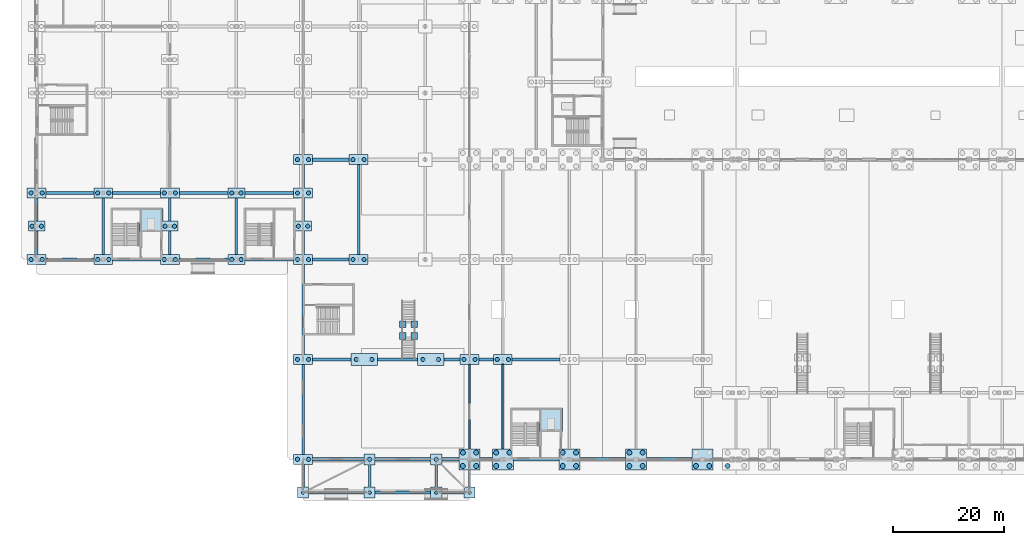
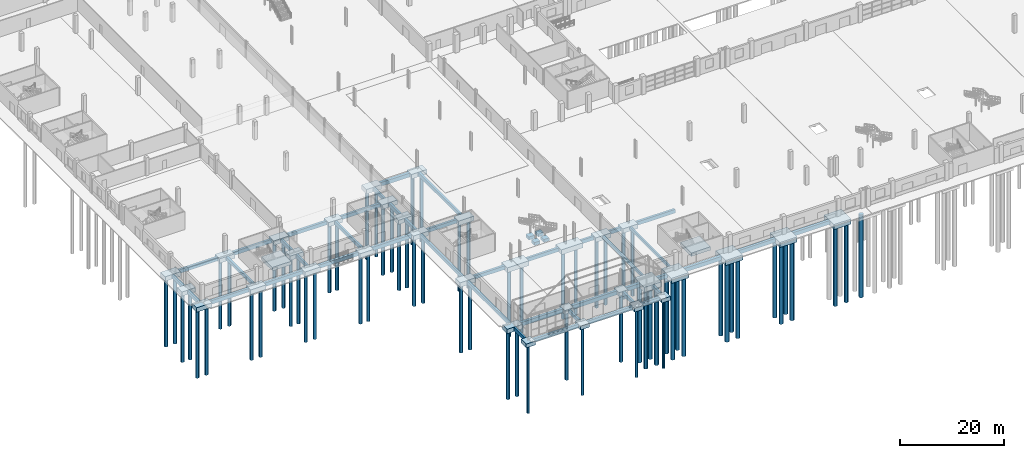
# One storey, part 1 of 77: 82 footings, 69 piles.
"""IFC4 building model written with IfcOpenShell, lengths in metres."""

from ifc_helpers import new_model, si_unit, direction, frame, origin, origin_2d, place, context, subcontext, project, spatial, rectangle, circle, extrude, material, material_profile, profile_set, type_object, element, save


model = new_model("IFC4")

# Units and contexts
model_context = context("Model", 3, precision=1e-05, world=origin(), true_north=direction((0.0, 1.0)))
body_context = subcontext(model_context, "Body", "Model", "MODEL_VIEW")
ifc_project = project(units=[si_unit("LENGTHUNIT", "METRE"), si_unit("AREAUNIT", "SQUARE_METRE"), si_unit("VOLUMEUNIT", "CUBIC_METRE"), si_unit("PLANEANGLEUNIT", "RADIAN"), si_unit("MASSUNIT", "GRAM", prefix="KILO")], contexts=[model_context])

# Site, building, storey
site_placement = place(None, origin())
site = spatial("IfcSite", under=ifc_project, at=site_placement, CompositionType="ELEMENT")
building_placement = place(site_placement, origin())
building = spatial("IfcBuilding", under=site, at=building_placement, Name="Zilviju Railside Exhibition Hall", CompositionType="ELEMENT")
storey_placement = place(building_placement, origin())
storey = spatial("IfcBuildingStorey", under=building, at=storey_placement, Name="L01", CompositionType="ELEMENT", Elevation=0.0)

# Footings
ifc_material_1 = material(Name="Concrete C35/45", Category="concrete")
footing_type_1 = type_object("IfcFootingType", Name="CAP-PC-01", PredefinedType="PILE_CAP", material=ifc_material_1)
for number, where, z_axis, x_axis, name in (
    (1, (78.0, 0.0, -1.60009765625), (0.0, 0.0, 1.0), (1.0, 0.0, 0.0), "Pile Cap FND-CAP-008"),
    (2, (84.0, 0.0, -1.60009765625), (0.0, 0.0, 1.0), (1.0, 0.0, 0.0), "Pile Cap FND-CAP-009"),
    (3, (96.0, 0.0, -1.60009765625), (0.0, 0.0, 1.0), (1.0, 0.0, 0.0), "Pile Cap FND-CAP-010"),
    (4, (108.0, 0.0, -1.60009765625), (0.0, 0.0, 1.0), (1.0, 0.0, 0.0), "Pile Cap FND-CAP-011"),
    (5, (120.0, 0.0, -1.60009765625), (0.0, 0.0, 1.0), (1.0, 0.0, 0.0), "Pile Cap FND-CAP-012"),
):
    element("IfcFooting", number, at=place(storey_placement, frame(where, z_axis=z_axis, x_axis=x_axis)), inside=storey, type_object=footing_type_1, Name=name, PredefinedType="PILE_CAP", context=body_context, shape_type="SweptSolid", body=[
        extrude(rectangle(XDim=3.800048828125, YDim=3.800048828125, at=origin_2d()), origin(), (0.0, 0.0, 1.0), 1.199951171875),
    ])
footing_type_2 = type_object("IfcFootingType", Name="CAP-PC-03", PredefinedType="PILE_CAP", material=ifc_material_1)
for number, where, z_axis, x_axis, name in (
    (6, (48.0, 0.0, -1.4501953125), (0.0, 0.0, 1.0), (1.0, 0.0, 0.0), "Pile Cap FND-CAP-005"),
    (7, (48.0, 18.0, -1.4501953125), (0.0, 0.0, 1.0), (1.0, 0.0, 0.0), "Pile Cap FND-CAP-031"),
    (8, (78.0, 18.0, -1.4501953125), (0.0, 0.0, 1.0), (1.0, 0.0, 0.0), "Pile Cap FND-CAP-034"),
    (9, (84.0, 18.0, -1.4501953125), (0.0, 0.0, 1.0), (1.0, 0.0, 0.0), "Pile Cap FND-CAP-035"),
    (10, (0.0, 36.0, -1.4501953125), (0.0, 0.0, 1.0), (1.0, 0.0, 0.0), "Pile Cap FND-CAP-043"),
    (11, (12.0, 36.0, -1.4501953125), (0.0, 0.0, 1.0), (1.0, 0.0, 0.0), "Pile Cap FND-CAP-044"),
    (12, (24.0, 36.0, -1.4501953125), (0.0, 0.0, 1.0), (1.0, 0.0, 0.0), "Pile Cap FND-CAP-045"),
    (13, (48.0, 36.0, -1.4501953125), (0.0, 0.0, 1.0), (1.0, 0.0, 0.0), "Pile Cap FND-CAP-047"),
    (14, (58.0, 36.0, -1.4501953125), (0.0, 0.0, 1.0), (1.0, 0.0, 0.0), "Pile Cap FND-CAP-048"),
    (15, (0.0, 48.0, -1.4501953125), (0.0, 0.0, 1.0), (1.0, 0.0, 0.0), "Pile Cap FND-CAP-062"),
    (16, (12.0, 48.0, -1.4501953125), (0.0, 0.0, 1.0), (1.0, 0.0, 0.0), "Pile Cap FND-CAP-063"),
    (17, (24.0, 48.0, -1.4501953125), (0.0, 0.0, 1.0), (1.0, 0.0, 0.0), "Pile Cap FND-CAP-064"),
    (18, (48.0, 48.0, -1.4501953125), (0.0, 0.0, 1.0), (1.0, 0.0, 0.0), "Pile Cap FND-CAP-066"),
    (19, (48.0, 54.0, -1.4501953125), (0.0, 0.0, 1.0), (1.0, 0.0, 0.0), "Pile Cap FND-CAP-067"),
    (20, (58.0, 54.0, -1.4501953125), (0.0, 0.0, 1.0), (1.0, 0.0, 0.0), "Pile Cap FND-CAP-068"),
):
    element("IfcFooting", number, at=place(storey_placement, frame(where, z_axis=z_axis, x_axis=x_axis)), inside=storey, type_object=footing_type_2, Name=name, PredefinedType="PILE_CAP", context=body_context, shape_type="SweptSolid", body=[
        extrude(rectangle(XDim=3.39990234375, YDim=1.800048828125, at=origin_2d()), origin(), (0.0, 0.0, 1.0), 1.050048828125),
    ])
footing_type_3 = type_object("IfcFootingType", Name="CAP-PC-04", PredefinedType="PILE_CAP", material=ifc_material_1)
for number, where, z_axis, x_axis, name in (
    (21, (36.0, 36.0, -1.39990234375), (0.0, 0.0, 1.0), (1.0, 0.0, 0.0), "Pile Cap FND-CAP-046"),
    (22, (0.0, 42.0, -1.39990234375), (0.0, 0.0, 1.0), (1.0, 0.0, 0.0), "Pile Cap FND-CAP-059"),
    (23, (24.0, 42.0, -1.39990234375), (0.0, 0.0, 1.0), (1.0, 0.0, 0.0), "Pile Cap FND-CAP-060"),
    (24, (48.0, 42.0, -1.39990234375), (0.0, 0.0, 1.0), (1.0, 0.0, 0.0), "Pile Cap FND-CAP-061"),
    (25, (36.0, 48.0, -1.39990234375), (0.0, 0.0, 1.0), (1.0, 0.0, 0.0), "Pile Cap FND-CAP-065"),
):
    element("IfcFooting", number, at=place(storey_placement, frame(where, z_axis=z_axis, x_axis=x_axis)), inside=storey, type_object=footing_type_3, Name=name, PredefinedType="PILE_CAP", context=body_context, shape_type="SweptSolid", body=[
        extrude(rectangle(XDim=3.0, YDim=1.800048828125, at=origin_2d()), origin(), (0.0, 0.0, 1.0), 1.0),
    ])
footing_type_4 = type_object("IfcFootingType", Name="CAP-PC-05", PredefinedType="PILE_CAP", material=ifc_material_1)
for number, where, z_axis, x_axis, name in (
    (26, (48.0, -6.0, -1.300048828125), (0.0, 0.0, 1.0), (1.0, 0.0, 0.0), "Pile Cap FND-CAP-001"),
    (27, (60.0, -6.0, -1.300048828125), (0.0, 0.0, 1.0), (1.0, 0.0, 0.0), "Pile Cap FND-CAP-002"),
    (28, (72.0, -6.0, -1.300048828125), (0.0, 0.0, 1.0), (1.0, 0.0, 0.0), "Pile Cap FND-CAP-003"),
    (29, (78.0, -6.0, -1.300048828125), (0.0, 0.0, 1.0), (1.0, 0.0, 0.0), "Pile Cap FND-CAP-004"),
    (30, (60.0, 0.0, -1.300048828125), (0.0, 0.0, 1.0), (1.0, 0.0, 0.0), "Pile Cap FND-CAP-006"),
    (31, (72.0, 0.0, -1.300048828125), (0.0, 0.0, 1.0), (1.0, 0.0, 0.0), "Pile Cap FND-CAP-007"),
):
    element("IfcFooting", number, at=place(storey_placement, frame(where, z_axis=z_axis, x_axis=x_axis)), inside=storey, type_object=footing_type_4, Name=name, PredefinedType="PILE_CAP", context=body_context, shape_type="SweptSolid", body=[
        extrude(rectangle(XDim=2.0, YDim=2.0, at=origin_2d()), origin(), (0.0, 0.0, 1.0), 0.89990234375),
    ])
footing_type_5 = type_object("IfcFootingType", Name="CAP-PC-07", PredefinedType="PILE_CAP", material=ifc_material_1)
for number, where, z_axis, x_axis, name in (
    (32, (59.0, 18.0, -1.550048828125), (0.0, 0.0, 1.0), (1.0, 0.0, 0.0), "Combined Pile Cap FND-CAP-032"),
    (33, (71.0, 18.0, -1.550048828125), (0.0, 0.0, 1.0), (1.0, 0.0, 0.0), "Combined Pile Cap FND-CAP-033"),
):
    element("IfcFooting", number, at=place(storey_placement, frame(where, z_axis=z_axis, x_axis=x_axis)), inside=storey, type_object=footing_type_5, Name=name, PredefinedType="PILE_CAP", context=body_context, shape_type="SweptSolid", body=[
        extrude(rectangle(XDim=4.800048828125, YDim=2.199951171875, at=origin_2d()), origin(), (0.0, 0.0, 1.0), 1.14990234375),
    ])
ifc_material_profile_1 = material_profile(ifc_material_1, rectangle(XDim=0.60009765625, YDim=0.89990234375, at=origin_2d()), Name="TIE BEAM 600x900")
ifc_profile_set_1 = profile_set([ifc_material_profile_1], Name="Concrete C35/45")
footing_type_6 = type_object("IfcFootingType", Name="GB-GB-01", PredefinedType="FOOTING_BEAM", material=ifc_profile_set_1)
footing_1_placement = place(storey_placement, frame((49.699951171875, 0.0, -0.85009765625), z_axis=(1.0, 0.0, 0.0), x_axis=(0.0, 1.0, 0.0)))
element("IfcFooting", 34, at=footing_1_placement, inside=storey, type_object=footing_type_6, Name="Ground Tie Beam GB-0004", PredefinedType="FOOTING_BEAM", context=body_context, shape_type="SweptSolid", body=[
    extrude(rectangle(XDim=0.60009765625, YDim=0.89990234375, at=origin_2d()), origin(), (0.0, 0.0, 1.0), 9.300048828125),
])
footing_2_placement = place(storey_placement, frame((61.0, 0.0, -0.85009765625), z_axis=(1.0, 0.0, 0.0), x_axis=(0.0, 1.0, 0.0)))
element("IfcFooting", 35, at=footing_2_placement, inside=storey, type_object=footing_type_6, Name="Ground Tie Beam GB-0005", PredefinedType="FOOTING_BEAM", context=body_context, shape_type="SweptSolid", body=[
    extrude(rectangle(XDim=0.60009765625, YDim=0.89990234375, at=origin_2d()), origin(), (0.0, 0.0, 1.0), 10.0),
])
footing_3_placement = place(storey_placement, frame((73.0, 0.0, -0.85009765625), z_axis=(1.0, 0.0, 0.0), x_axis=(0.0, 1.0, 0.0)))
element("IfcFooting", 36, at=footing_3_placement, inside=storey, type_object=footing_type_6, Name="Ground Tie Beam GB-0006", PredefinedType="FOOTING_BEAM", context=body_context, shape_type="SweptSolid", body=[
    extrude(rectangle(XDim=0.60009765625, YDim=0.89990234375, at=origin_2d()), origin(), (0.0, 0.0, 1.0), 3.10009765625),
])
footing_4_placement = place(storey_placement, frame((79.89990234375, 0.0, -0.85009765625), z_axis=(1.0, 0.0, 0.0), x_axis=(0.0, 1.0, 0.0)))
element("IfcFooting", 37, at=footing_4_placement, inside=storey, type_object=footing_type_6, Name="Ground Tie Beam GB-0007", PredefinedType="FOOTING_BEAM", context=body_context, shape_type="SweptSolid", body=[
    extrude(rectangle(XDim=0.60009765625, YDim=0.89990234375, at=origin_2d()), origin(), (0.0, 0.0, 1.0), 2.2001953125),
])
for number, where, z_axis, x_axis, name in (
    (38, (85.89990234375, 0.0, -0.85009765625), (1.0, 0.0, 0.0), (0.0, 1.0, 0.0), "Ground Tie Beam GB-0008"),
    (39, (97.89990234375, 0.0, -0.85009765625), (1.0, 0.0, 0.0), (0.0, 1.0, 0.0), "Ground Tie Beam GB-0009"),
    (40, (109.89990234375, 0.0, -0.85009765625), (1.0, 0.0, 0.0), (0.0, 1.0, 0.0), "Ground Tie Beam GB-0010"),
):
    element("IfcFooting", number, at=place(storey_placement, frame(where, z_axis=z_axis, x_axis=x_axis)), inside=storey, type_object=footing_type_6, Name=name, PredefinedType="FOOTING_BEAM", context=body_context, shape_type="SweptSolid", body=[
        extrude(rectangle(XDim=0.60009765625, YDim=0.89990234375, at=origin_2d()), origin(), (0.0, 0.0, 1.0), 8.2001953125),
    ])
footing_5_placement = place(storey_placement, frame((49.699951171875, 54.0, -0.85009765625), z_axis=(1.0, 0.0, 0.0), x_axis=(0.0, 1.0, 0.0)))
element("IfcFooting", 41, at=footing_5_placement, inside=storey, type_object=footing_type_6, Name="Ground Tie Beam GB-0056", PredefinedType="FOOTING_BEAM", context=body_context, shape_type="SweptSolid", body=[
    extrude(rectangle(XDim=0.60009765625, YDim=0.89990234375, at=origin_2d()), origin(), (0.0, 0.0, 1.0), 6.60009765625),
])
ifc_material_profile_2 = material_profile(ifc_material_1, rectangle(XDim=0.5, YDim=0.85009765625, at=origin_2d()), Name="TIE BEAM 500x850")
ifc_profile_set_2 = profile_set([ifc_material_profile_2], Name="Concrete C35/45")
footing_type_7 = type_object("IfcFootingType", Name="GB-GB-02", PredefinedType="FOOTING_BEAM", material=ifc_profile_set_2)
for number, where, z_axis, x_axis, name in (
    (42, (49.0, -6.0, -0.824951171875), (1.0, 0.0, 0.0), (0.0, 1.0, 0.0), "Ground Tie Beam GB-0001"),
    (43, (61.0, -6.0, -0.824951171875), (1.0, 0.0, 0.0), (0.0, 1.0, 0.0), "Ground Tie Beam GB-0002"),
):
    element("IfcFooting", number, at=place(storey_placement, frame(where, z_axis=z_axis, x_axis=x_axis)), inside=storey, type_object=footing_type_7, Name=name, PredefinedType="FOOTING_BEAM", context=body_context, shape_type="SweptSolid", body=[
        extrude(rectangle(XDim=0.5, YDim=0.85009765625, at=origin_2d()), origin(), (0.0, 0.0, 1.0), 10.0),
    ])
footing_6_placement = place(storey_placement, frame((73.0, -6.0, -0.824951171875), z_axis=(1.0, 0.0, 0.0), x_axis=(0.0, 1.0, 0.0)))
element("IfcFooting", 44, at=footing_6_placement, inside=storey, type_object=footing_type_7, Name="Ground Tie Beam GB-0003", PredefinedType="FOOTING_BEAM", context=body_context, shape_type="SweptSolid", body=[
    extrude(rectangle(XDim=0.5, YDim=0.85009765625, at=origin_2d()), origin(), (0.0, 0.0, 1.0), 4.0),
])
footing_7_placement = place(storey_placement, frame((49.699951171875, 18.0, -0.824951171875), z_axis=(1.0, 0.0, 0.0), x_axis=(0.0, 1.0, 0.0)))
element("IfcFooting", 45, at=footing_7_placement, inside=storey, type_object=footing_type_7, Name="Ground Tie Beam GB-0028", PredefinedType="FOOTING_BEAM", context=body_context, shape_type="SweptSolid", body=[
    extrude(rectangle(XDim=0.5, YDim=0.85009765625, at=origin_2d()), origin(), (0.0, 0.0, 1.0), 6.900146484375),
])
footing_8_placement = place(storey_placement, frame((61.39990234375, 18.0, -0.824951171875), z_axis=(1.0, 0.0, 0.0), x_axis=(0.0, 1.0, 0.0)))
element("IfcFooting", 46, at=footing_8_placement, inside=storey, type_object=footing_type_7, Name="Ground Tie Beam GB-0029", PredefinedType="FOOTING_BEAM", context=body_context, shape_type="SweptSolid", body=[
    extrude(rectangle(XDim=0.5, YDim=0.85009765625, at=origin_2d()), origin(), (0.0, 0.0, 1.0), 7.2001953125),
])
footing_9_placement = place(storey_placement, frame((73.39990234375, 18.0, -0.824951171875), z_axis=(1.0, 0.0, 0.0), x_axis=(0.0, 1.0, 0.0)))
element("IfcFooting", 47, at=footing_9_placement, inside=storey, type_object=footing_type_7, Name="Ground Tie Beam GB-0030", PredefinedType="FOOTING_BEAM", context=body_context, shape_type="SweptSolid", body=[
    extrude(rectangle(XDim=0.5, YDim=0.85009765625, at=origin_2d()), origin(), (0.0, 0.0, 1.0), 2.900146484375),
])
footing_10_placement = place(storey_placement, frame((79.699951171875, 18.0, -0.824951171875), z_axis=(1.0, 0.0, 0.0), x_axis=(0.0, 1.0, 0.0)))
element("IfcFooting", 48, at=footing_10_placement, inside=storey, type_object=footing_type_7, Name="Ground Tie Beam GB-0031", PredefinedType="FOOTING_BEAM", context=body_context, shape_type="SweptSolid", body=[
    extrude(rectangle(XDim=0.5, YDim=0.85009765625, at=origin_2d()), origin(), (0.0, 0.0, 1.0), 2.60009765625),
])
for number, where, z_axis, x_axis, name in (
    (49, (85.699951171875, 18.0, -0.824951171875), (1.0, 0.0, 0.0), (0.0, 1.0, 0.0), "Ground Tie Beam GB-0032"),
    (50, (1.699951171875, 36.0, -0.824951171875), (1.0, 0.0, 0.0), (0.0, 1.0, 0.0), "Ground Tie Beam GB-0038"),
    (51, (13.699951171875, 36.0, -0.824951171875), (1.0, 0.0, 0.0), (0.0, 1.0, 0.0), "Ground Tie Beam GB-0039"),
):
    element("IfcFooting", number, at=place(storey_placement, frame(where, z_axis=z_axis, x_axis=x_axis)), inside=storey, type_object=footing_type_7, Name=name, PredefinedType="FOOTING_BEAM", context=body_context, shape_type="SweptSolid", body=[
        extrude(rectangle(XDim=0.5, YDim=0.85009765625, at=origin_2d()), origin(), (0.0, 0.0, 1.0), 8.60009765625),
    ])
for number, where, z_axis, x_axis, name in (
    (52, (25.699951171875, 36.0, -0.824951171875), (1.0, 0.0, 0.0), (0.0, 1.0, 0.0), "Ground Tie Beam GB-0040"),
    (53, (37.5, 36.0, -0.824951171875), (1.0, 0.0, 0.0), (0.0, 1.0, 0.0), "Ground Tie Beam GB-0041"),
):
    element("IfcFooting", number, at=place(storey_placement, frame(where, z_axis=z_axis, x_axis=x_axis)), inside=storey, type_object=footing_type_7, Name=name, PredefinedType="FOOTING_BEAM", context=body_context, shape_type="SweptSolid", body=[
        extrude(rectangle(XDim=0.5, YDim=0.85009765625, at=origin_2d()), origin(), (0.0, 0.0, 1.0), 8.800048828125),
    ])
footing_11_placement = place(storey_placement, frame((49.699951171875, 36.0, -0.824951171875), z_axis=(1.0, 0.0, 0.0), x_axis=(0.0, 1.0, 0.0)))
element("IfcFooting", 54, at=footing_11_placement, inside=storey, type_object=footing_type_7, Name="Ground Tie Beam GB-0042", PredefinedType="FOOTING_BEAM", context=body_context, shape_type="SweptSolid", body=[
    extrude(rectangle(XDim=0.5, YDim=0.85009765625, at=origin_2d()), origin(), (0.0, 0.0, 1.0), 6.60009765625),
])
for number, where, z_axis, x_axis, name in (
    (55, (1.699951171875, 48.0, -0.824951171875), (1.0, 0.0, 0.0), (0.0, 1.0, 0.0), "Ground Tie Beam GB-0052"),
    (56, (13.699951171875, 48.0, -0.824951171875), (1.0, 0.0, 0.0), (0.0, 1.0, 0.0), "Ground Tie Beam GB-0053"),
):
    element("IfcFooting", number, at=place(storey_placement, frame(where, z_axis=z_axis, x_axis=x_axis)), inside=storey, type_object=footing_type_7, Name=name, PredefinedType="FOOTING_BEAM", context=body_context, shape_type="SweptSolid", body=[
        extrude(rectangle(XDim=0.5, YDim=0.85009765625, at=origin_2d()), origin(), (0.0, 0.0, 1.0), 8.60009765625),
    ])
for number, where, z_axis, x_axis, name in (
    (57, (25.699951171875, 48.0, -0.824951171875), (1.0, 0.0, 0.0), (0.0, 1.0, 0.0), "Ground Tie Beam GB-0054"),
    (58, (37.5, 48.0, -0.824951171875), (1.0, 0.0, 0.0), (0.0, 1.0, 0.0), "Ground Tie Beam GB-0055"),
):
    element("IfcFooting", number, at=place(storey_placement, frame(where, z_axis=z_axis, x_axis=x_axis)), inside=storey, type_object=footing_type_7, Name=name, PredefinedType="FOOTING_BEAM", context=body_context, shape_type="SweptSolid", body=[
        extrude(rectangle(XDim=0.5, YDim=0.85009765625, at=origin_2d()), origin(), (0.0, 0.0, 1.0), 8.800048828125),
    ])
ifc_material_profile_3 = material_profile(ifc_material_1, rectangle(XDim=0.449951171875, YDim=0.800048828125, at=origin_2d()), Name="TIE BEAM 450x800")
ifc_profile_set_3 = profile_set([ifc_material_profile_3], Name="Concrete C35/45")
footing_type_8 = type_object("IfcFootingType", Name="GB-GB-03", PredefinedType="FOOTING_BEAM", material=ifc_profile_set_3)
for number, where, z_axis, x_axis, name in (
    (59, (0.0, 36.89990234375, -0.800048828125), (0.0, 1.0, 0.0), (-1.0, 0.0, 0.0), "Ground Tie Beam GB-0209"),
    (60, (0.0, 42.89990234375, -0.800048828125), (0.0, 1.0, 0.0), (-1.0, 0.0, 0.0), "Ground Tie Beam GB-0210"),
):
    element("IfcFooting", number, at=place(storey_placement, frame(where, z_axis=z_axis, x_axis=x_axis)), inside=storey, type_object=footing_type_8, Name=name, PredefinedType="FOOTING_BEAM", context=body_context, shape_type="SweptSolid", body=[
        extrude(rectangle(XDim=0.449951171875, YDim=0.800048828125, at=origin_2d()), origin(), (0.0, 0.0, 1.0), 4.2001953125),
    ])
footing_12_placement = place(storey_placement, frame((12.0, 36.89990234375, -0.800048828125), z_axis=(0.0, 1.0, 0.0), x_axis=(-1.0, 0.0, 0.0)))
element("IfcFooting", 61, at=footing_12_placement, inside=storey, type_object=footing_type_8, Name="Ground Tie Beam GB-0220", PredefinedType="FOOTING_BEAM", context=body_context, shape_type="SweptSolid", body=[
    extrude(rectangle(XDim=0.449951171875, YDim=0.800048828125, at=origin_2d()), origin(), (0.0, 0.0, 1.0), 10.2001953125),
])
for number, where, z_axis, x_axis, name in (
    (62, (24.0, 36.89990234375, -0.800048828125), (0.0, 1.0, 0.0), (-1.0, 0.0, 0.0), "Ground Tie Beam GB-0229"),
    (63, (24.0, 42.89990234375, -0.800048828125), (0.0, 1.0, 0.0), (-1.0, 0.0, 0.0), "Ground Tie Beam GB-0230"),
):
    element("IfcFooting", number, at=place(storey_placement, frame(where, z_axis=z_axis, x_axis=x_axis)), inside=storey, type_object=footing_type_8, Name=name, PredefinedType="FOOTING_BEAM", context=body_context, shape_type="SweptSolid", body=[
        extrude(rectangle(XDim=0.449951171875, YDim=0.800048828125, at=origin_2d()), origin(), (0.0, 0.0, 1.0), 4.2001953125),
    ])
footing_13_placement = place(storey_placement, frame((36.0, 36.89990234375, -0.800048828125), z_axis=(0.0, 1.0, 0.0), x_axis=(-1.0, 0.0, 0.0)))
element("IfcFooting", 64, at=footing_13_placement, inside=storey, type_object=footing_type_8, Name="Ground Tie Beam GB-0240", PredefinedType="FOOTING_BEAM", context=body_context, shape_type="SweptSolid", body=[
    extrude(rectangle(XDim=0.449951171875, YDim=0.800048828125, at=origin_2d()), origin(), (0.0, 0.0, 1.0), 10.2001953125),
])
footing_14_placement = place(storey_placement, frame((48.0, -5.0, -0.800048828125), z_axis=(0.0, 1.0, 0.0), x_axis=(-1.0, 0.0, 0.0)))
element("IfcFooting", 65, at=footing_14_placement, inside=storey, type_object=footing_type_8, Name="Ground Tie Beam GB-0253", PredefinedType="FOOTING_BEAM", context=body_context, shape_type="SweptSolid", body=[
    extrude(rectangle(XDim=0.449951171875, YDim=0.800048828125, at=origin_2d()), origin(), (0.0, 0.0, 1.0), 4.10009765625),
])
for number, where, z_axis, x_axis, name in (
    (66, (48.0, 0.89990234375, -0.800048828125), (0.0, 1.0, 0.0), (-1.0, 0.0, 0.0), "Ground Tie Beam GB-0254"),
    (67, (48.0, 18.89990234375, -0.800048828125), (0.0, 1.0, 0.0), (-1.0, 0.0, 0.0), "Ground Tie Beam GB-0255"),
):
    element("IfcFooting", number, at=place(storey_placement, frame(where, z_axis=z_axis, x_axis=x_axis)), inside=storey, type_object=footing_type_8, Name=name, PredefinedType="FOOTING_BEAM", context=body_context, shape_type="SweptSolid", body=[
        extrude(rectangle(XDim=0.449951171875, YDim=0.800048828125, at=origin_2d()), origin(), (0.0, 0.0, 1.0), 16.2001953125),
    ])
for number, where, z_axis, x_axis, name in (
    (68, (48.0, 36.89990234375, -0.800048828125), (0.0, 1.0, 0.0), (-1.0, 0.0, 0.0), "Ground Tie Beam GB-0256"),
    (69, (48.0, 42.89990234375, -0.800048828125), (0.0, 1.0, 0.0), (-1.0, 0.0, 0.0), "Ground Tie Beam GB-0257"),
    (70, (48.0, 48.89990234375, -0.800048828125), (0.0, 1.0, 0.0), (-1.0, 0.0, 0.0), "Ground Tie Beam GB-0258"),
):
    element("IfcFooting", number, at=place(storey_placement, frame(where, z_axis=z_axis, x_axis=x_axis)), inside=storey, type_object=footing_type_8, Name=name, PredefinedType="FOOTING_BEAM", context=body_context, shape_type="SweptSolid", body=[
        extrude(rectangle(XDim=0.449951171875, YDim=0.800048828125, at=origin_2d()), origin(), (0.0, 0.0, 1.0), 4.2001953125),
    ])
footing_15_placement = place(storey_placement, frame((58.0, 36.89990234375, -0.800048828125), z_axis=(0.0, 1.0, 0.0), x_axis=(-1.0, 0.0, 0.0)))
element("IfcFooting", 71, at=footing_15_placement, inside=storey, type_object=footing_type_8, Name="Ground Tie Beam GB-0268", PredefinedType="FOOTING_BEAM", context=body_context, shape_type="SweptSolid", body=[
    extrude(rectangle(XDim=0.449951171875, YDim=0.800048828125, at=origin_2d()), origin(), (0.0, 0.0, 1.0), 16.2001953125),
])
for number, where, z_axis, x_axis, name in (
    (72, (60.0, -5.0, -0.800048828125), (0.0, 1.0, 0.0), (-1.0, 0.0, 0.0), "Ground Tie Beam GB-0273"),
    (73, (72.0, -5.0, -0.800048828125), (0.0, 1.0, 0.0), (-1.0, 0.0, 0.0), "Ground Tie Beam GB-0280"),
):
    element("IfcFooting", number, at=place(storey_placement, frame(where, z_axis=z_axis, x_axis=x_axis)), inside=storey, type_object=footing_type_8, Name=name, PredefinedType="FOOTING_BEAM", context=body_context, shape_type="SweptSolid", body=[
        extrude(rectangle(XDim=0.449951171875, YDim=0.800048828125, at=origin_2d()), origin(), (0.0, 0.0, 1.0), 4.0),
    ])
ifc_material_profile_4 = material_profile(ifc_material_1, rectangle(XDim=0.39990234375, YDim=0.75, at=origin_2d()), Name="TIE BEAM 400x750")
ifc_profile_set_4 = profile_set([ifc_material_profile_4], Name="Concrete C35/45")
footing_type_9 = type_object("IfcFootingType", Name="GB-GB-04", PredefinedType="FOOTING_BEAM", material=ifc_profile_set_4)
footing_16_placement = place(storey_placement, frame((78.0, -5.0, -0.77490234375), z_axis=(0.0, 1.0, 0.0), x_axis=(-1.0, 0.0, 0.0)))
element("IfcFooting", 74, at=footing_16_placement, inside=storey, type_object=footing_type_9, Name="Ground Tie Beam GB-0282", PredefinedType="FOOTING_BEAM", context=body_context, shape_type="SweptSolid", body=[
    extrude(rectangle(XDim=0.39990234375, YDim=0.75, at=origin_2d()), origin(), (0.0, 0.0, 1.0), 3.10009765625),
])
ifc_material_profile_5 = material_profile(ifc_material_1, rectangle(XDim=0.35009765625, YDim=0.64990234375, at=origin_2d()), Name="TIE BEAM 350x650")
ifc_profile_set_5 = profile_set([ifc_material_profile_5], Name="Concrete C35/45")
footing_type_10 = type_object("IfcFootingType", Name="GB-GB-06", PredefinedType="FOOTING_BEAM", material=ifc_profile_set_5)
for number, where, z_axis, x_axis, name in (
    (75, (78.0, 1.89990234375, -0.72509765625), (0.0, 1.0, 0.0), (-1.0, 0.0, 0.0), "Ground Tie Beam GB-0283"),
    (76, (84.0, 1.89990234375, -0.72509765625), (0.0, 1.0, 0.0), (-1.0, 0.0, 0.0), "Ground Tie Beam GB-0292"),
):
    element("IfcFooting", number, at=place(storey_placement, frame(where, z_axis=z_axis, x_axis=x_axis)), inside=storey, type_object=footing_type_10, Name=name, PredefinedType="FOOTING_BEAM", context=body_context, shape_type="SweptSolid", body=[
        extrude(rectangle(XDim=0.35009765625, YDim=0.64990234375, at=origin_2d()), origin(), (0.0, 0.0, 1.0), 15.2001953125),
    ])
ifc_material_2 = material(Name="Concrete C40/50", Category="concrete")
footing_type_11 = type_object("IfcFootingType", Name="PAD-PF-01", PredefinedType="PAD_FOOTING", material=ifc_material_2)
for number, where, z_axis, x_axis, name in (
    (77, (92.625, 7.125, -2.39990234375), (0.0, 0.0, 1.0), (1.0, 0.0, 0.0), "Lift Pit Foundation Pad LP-01"),
    (78, (20.625, 43.125, -2.39990234375), (0.0, 0.0, 1.0), (1.0, 0.0, 0.0), "Lift Pit Foundation Pad LP-05"),
):
    element("IfcFooting", number, at=place(storey_placement, frame(where, z_axis=z_axis, x_axis=x_axis)), inside=storey, type_object=footing_type_11, Name=name, PredefinedType="PAD_FOOTING", context=body_context, shape_type="SweptSolid", body=[
        extrude(rectangle(XDim=4.199951171875, YDim=4.199951171875, at=origin_2d()), origin(), (0.0, 0.0, 1.0), 0.800048828125),
    ])
footing_type_12 = type_object("IfcFootingType", Name="PAD-PF-11", PredefinedType="PAD_FOOTING", material=ifc_material_1)
for number, where, z_axis, x_axis, name in (
    (79, (65.97998046875, 22.2099609375, -1.1201171875), (0.0, 0.0, 1.0), (1.0, 0.0, 0.0), "Feature Stair ST19 Landing Pad 1"),
    (80, (68.02001953125, 22.2099609375, -1.1201171875), (0.0, 0.0, 1.0), (1.0, 0.0, 0.0), "Feature Stair ST19 Landing Pad 2"),
    (81, (65.97998046875, 24.35009765625, -1.1201171875), (0.0, 0.0, 1.0), (1.0, 0.0, 0.0), "Feature Stair ST19 Landing Pad 3"),
    (82, (68.02001953125, 24.35009765625, -1.1201171875), (0.0, 0.0, 1.0), (1.0, 0.0, 0.0), "Feature Stair ST19 Landing Pad 4"),
):
    element("IfcFooting", number, at=place(storey_placement, frame(where, z_axis=z_axis, x_axis=x_axis)), inside=storey, type_object=footing_type_12, Name=name, PredefinedType="PAD_FOOTING", context=body_context, shape_type="SweptSolid", body=[
        extrude(rectangle(XDim=1.199951171875, YDim=1.199951171875, at=origin_2d()), origin(), (0.0, 0.0, 1.0), 0.699951171875),
    ])

# Piles
ifc_material_profile_6 = material_profile(ifc_material_1, circle(Radius=0.300048828125, at=origin_2d()), Name="CFA PILE D600")
ifc_profile_set_6 = profile_set([ifc_material_profile_6], Name="Concrete C35/45")
pile_type_1 = type_object("IfcPileType", Name="PILE-PL-600", PredefinedType="BORED", material=ifc_profile_set_6)
for number, where, z_axis, x_axis, name in (
    (83, (48.0, -6.0, -0.5), (0.0, 0.0, -1.0), (1.0, 0.0, 0.0), "Bored CFA Pile P-0001"),
    (84, (60.0, -6.0, -0.5), (0.0, 0.0, -1.0), (1.0, 0.0, 0.0), "Bored CFA Pile P-0002"),
    (85, (72.0, -6.0, -0.5), (0.0, 0.0, -1.0), (1.0, 0.0, 0.0), "Bored CFA Pile P-0003"),
    (86, (78.0, -6.0, -0.5), (0.0, 0.0, -1.0), (1.0, 0.0, 0.0), "Bored CFA Pile P-0004"),
):
    element("IfcPile", number, at=place(storey_placement, frame(where, z_axis=z_axis, x_axis=x_axis)), inside=storey, type_object=pile_type_1, Name=name, PredefinedType="BORED", context=body_context, shape_type="SweptSolid", body=[
        extrude(circle(Radius=0.300048828125, at=origin_2d()), origin(), (0.0, 0.0, 1.0), 16.89990234375),
    ])
ifc_material_profile_7 = material_profile(ifc_material_1, circle(Radius=0.375, at=origin_2d()), Name="CFA PILE D750")
ifc_profile_set_7 = profile_set([ifc_material_profile_7], Name="Concrete C35/45")
pile_type_2 = type_object("IfcPileType", Name="PILE-PL-750", PredefinedType="BORED", material=ifc_profile_set_7)
for number, where, z_axis, x_axis, name in (
    (87, (47.0, 0.0, -0.5), (0.0, 0.0, -1.0), (1.0, 0.0, 0.0), "Bored CFA Pile P-0005"),
    (88, (49.0, 0.0, -0.5), (0.0, 0.0, -1.0), (1.0, 0.0, 0.0), "Bored CFA Pile P-0006"),
    (89, (60.0, 0.0, -0.5), (0.0, 0.0, -1.0), (1.0, 0.0, 0.0), "Bored CFA Pile P-0007"),
    (90, (72.0, 0.0, -0.5), (0.0, 0.0, -1.0), (1.0, 0.0, 0.0), "Bored CFA Pile P-0008"),
    (91, (47.0, 18.0, -0.5), (0.0, 0.0, -1.0), (1.0, 0.0, 0.0), "Bored CFA Pile P-0085"),
    (92, (49.0, 18.0, -0.5), (0.0, 0.0, -1.0), (1.0, 0.0, 0.0), "Bored CFA Pile P-0086"),
    (93, (57.60009765625, 18.0, -0.5), (0.0, 0.0, -1.0), (1.0, 0.0, 0.0), "Bored CFA Pile P-0087"),
    (94, (60.39990234375, 18.0, -0.5), (0.0, 0.0, -1.0), (1.0, 0.0, 0.0), "Bored CFA Pile P-0088"),
    (95, (69.60009765625, 18.0, -0.5), (0.0, 0.0, -1.0), (1.0, 0.0, 0.0), "Bored CFA Pile P-0089"),
    (96, (72.39990234375, 18.0, -0.5), (0.0, 0.0, -1.0), (1.0, 0.0, 0.0), "Bored CFA Pile P-0090"),
    (97, (77.0, 18.0, -0.5), (0.0, 0.0, -1.0), (1.0, 0.0, 0.0), "Bored CFA Pile P-0091"),
    (98, (79.0, 18.0, -0.5), (0.0, 0.0, -1.0), (1.0, 0.0, 0.0), "Bored CFA Pile P-0092"),
    (99, (83.0, 18.0, -0.5), (0.0, 0.0, -1.0), (1.0, 0.0, 0.0), "Bored CFA Pile P-0093"),
    (100, (85.0, 18.0, -0.5), (0.0, 0.0, -1.0), (1.0, 0.0, 0.0), "Bored CFA Pile P-0094"),
    (101, (-1.0, 36.0, -0.5), (0.0, 0.0, -1.0), (1.0, 0.0, 0.0), "Bored CFA Pile P-0109"),
    (102, (1.0, 36.0, -0.5), (0.0, 0.0, -1.0), (1.0, 0.0, 0.0), "Bored CFA Pile P-0110"),
    (103, (11.0, 36.0, -0.5), (0.0, 0.0, -1.0), (1.0, 0.0, 0.0), "Bored CFA Pile P-0111"),
    (104, (13.0, 36.0, -0.5), (0.0, 0.0, -1.0), (1.0, 0.0, 0.0), "Bored CFA Pile P-0112"),
    (105, (23.0, 36.0, -0.5), (0.0, 0.0, -1.0), (1.0, 0.0, 0.0), "Bored CFA Pile P-0113"),
    (106, (25.0, 36.0, -0.5), (0.0, 0.0, -1.0), (1.0, 0.0, 0.0), "Bored CFA Pile P-0114"),
    (107, (35.14990234375, 36.0, -0.5), (0.0, 0.0, -1.0), (1.0, 0.0, 0.0), "Bored CFA Pile P-0115"),
    (108, (36.85009765625, 36.0, -0.5), (0.0, 0.0, -1.0), (1.0, 0.0, 0.0), "Bored CFA Pile P-0116"),
    (109, (47.0, 36.0, -0.5), (0.0, 0.0, -1.0), (1.0, 0.0, 0.0), "Bored CFA Pile P-0117"),
    (110, (49.0, 36.0, -0.5), (0.0, 0.0, -1.0), (1.0, 0.0, 0.0), "Bored CFA Pile P-0118"),
    (111, (57.0, 36.0, -0.5), (0.0, 0.0, -1.0), (1.0, 0.0, 0.0), "Bored CFA Pile P-0119"),
    (112, (59.0, 36.0, -0.5), (0.0, 0.0, -1.0), (1.0, 0.0, 0.0), "Bored CFA Pile P-0120"),
    (113, (-0.85009765625, 42.0, -0.5), (0.0, 0.0, -1.0), (1.0, 0.0, 0.0), "Bored CFA Pile P-0140"),
    (114, (0.85009765625, 42.0, -0.5), (0.0, 0.0, -1.0), (1.0, 0.0, 0.0), "Bored CFA Pile P-0141"),
    (115, (23.14990234375, 42.0, -0.5), (0.0, 0.0, -1.0), (1.0, 0.0, 0.0), "Bored CFA Pile P-0142"),
    (116, (24.85009765625, 42.0, -0.5), (0.0, 0.0, -1.0), (1.0, 0.0, 0.0), "Bored CFA Pile P-0143"),
    (117, (47.14990234375, 42.0, -0.5), (0.0, 0.0, -1.0), (1.0, 0.0, 0.0), "Bored CFA Pile P-0144"),
    (118, (48.85009765625, 42.0, -0.5), (0.0, 0.0, -1.0), (1.0, 0.0, 0.0), "Bored CFA Pile P-0145"),
    (119, (-1.0, 48.0, -0.5), (0.0, 0.0, -1.0), (1.0, 0.0, 0.0), "Bored CFA Pile P-0146"),
    (120, (1.0, 48.0, -0.5), (0.0, 0.0, -1.0), (1.0, 0.0, 0.0), "Bored CFA Pile P-0147"),
    (121, (11.0, 48.0, -0.5), (0.0, 0.0, -1.0), (1.0, 0.0, 0.0), "Bored CFA Pile P-0148"),
    (122, (13.0, 48.0, -0.5), (0.0, 0.0, -1.0), (1.0, 0.0, 0.0), "Bored CFA Pile P-0149"),
    (123, (23.0, 48.0, -0.5), (0.0, 0.0, -1.0), (1.0, 0.0, 0.0), "Bored CFA Pile P-0150"),
    (124, (25.0, 48.0, -0.5), (0.0, 0.0, -1.0), (1.0, 0.0, 0.0), "Bored CFA Pile P-0151"),
    (125, (35.14990234375, 48.0, -0.5), (0.0, 0.0, -1.0), (1.0, 0.0, 0.0), "Bored CFA Pile P-0152"),
    (126, (36.85009765625, 48.0, -0.5), (0.0, 0.0, -1.0), (1.0, 0.0, 0.0), "Bored CFA Pile P-0153"),
    (127, (47.0, 48.0, -0.5), (0.0, 0.0, -1.0), (1.0, 0.0, 0.0), "Bored CFA Pile P-0154"),
    (128, (49.0, 48.0, -0.5), (0.0, 0.0, -1.0), (1.0, 0.0, 0.0), "Bored CFA Pile P-0155"),
    (129, (47.0, 54.0, -0.5), (0.0, 0.0, -1.0), (1.0, 0.0, 0.0), "Bored CFA Pile P-0156"),
    (130, (49.0, 54.0, -0.5), (0.0, 0.0, -1.0), (1.0, 0.0, 0.0), "Bored CFA Pile P-0157"),
    (131, (57.0, 54.0, -0.5), (0.0, 0.0, -1.0), (1.0, 0.0, 0.0), "Bored CFA Pile P-0158"),
    (132, (59.0, 54.0, -0.5), (0.0, 0.0, -1.0), (1.0, 0.0, 0.0), "Bored CFA Pile P-0159"),
):
    element("IfcPile", number, at=place(storey_placement, frame(where, z_axis=z_axis, x_axis=x_axis)), inside=storey, type_object=pile_type_2, Name=name, PredefinedType="BORED", context=body_context, shape_type="SweptSolid", body=[
        extrude(circle(Radius=0.375, at=origin_2d()), origin(), (0.0, 0.0, 1.0), 16.89990234375),
    ])
ifc_material_profile_8 = material_profile(ifc_material_1, circle(Radius=0.449951171875, at=origin_2d()), Name="CFA PILE D900")
ifc_profile_set_8 = profile_set([ifc_material_profile_8], Name="Concrete C35/45")
pile_type_3 = type_object("IfcPileType", Name="PILE-PL-900", PredefinedType="BORED", material=ifc_profile_set_8)
for number, where, z_axis, x_axis, name in (
    (133, (76.800048828125, -1.199951171875, -0.5), (0.0, 0.0, -1.0), (1.0, 0.0, 0.0), "Bored CFA Pile P-0009"),
    (134, (79.199951171875, -1.199951171875, -0.5), (0.0, 0.0, -1.0), (1.0, 0.0, 0.0), "Bored CFA Pile P-0010"),
    (135, (76.800048828125, 1.199951171875, -0.5), (0.0, 0.0, -1.0), (1.0, 0.0, 0.0), "Bored CFA Pile P-0011"),
    (136, (79.199951171875, 1.199951171875, -0.5), (0.0, 0.0, -1.0), (1.0, 0.0, 0.0), "Bored CFA Pile P-0012"),
    (137, (82.800048828125, -1.199951171875, -0.5), (0.0, 0.0, -1.0), (1.0, 0.0, 0.0), "Bored CFA Pile P-0013"),
    (138, (85.199951171875, -1.199951171875, -0.5), (0.0, 0.0, -1.0), (1.0, 0.0, 0.0), "Bored CFA Pile P-0014"),
    (139, (82.800048828125, 1.199951171875, -0.5), (0.0, 0.0, -1.0), (1.0, 0.0, 0.0), "Bored CFA Pile P-0015"),
    (140, (85.199951171875, 1.199951171875, -0.5), (0.0, 0.0, -1.0), (1.0, 0.0, 0.0), "Bored CFA Pile P-0016"),
    (141, (94.800048828125, -1.199951171875, -0.5), (0.0, 0.0, -1.0), (1.0, 0.0, 0.0), "Bored CFA Pile P-0017"),
    (142, (97.199951171875, -1.199951171875, -0.5), (0.0, 0.0, -1.0), (1.0, 0.0, 0.0), "Bored CFA Pile P-0018"),
    (143, (94.800048828125, 1.199951171875, -0.5), (0.0, 0.0, -1.0), (1.0, 0.0, 0.0), "Bored CFA Pile P-0019"),
    (144, (97.199951171875, 1.199951171875, -0.5), (0.0, 0.0, -1.0), (1.0, 0.0, 0.0), "Bored CFA Pile P-0020"),
    (145, (106.800048828125, -1.199951171875, -0.5), (0.0, 0.0, -1.0), (1.0, 0.0, 0.0), "Bored CFA Pile P-0021"),
    (146, (109.199951171875, -1.199951171875, -0.5), (0.0, 0.0, -1.0), (1.0, 0.0, 0.0), "Bored CFA Pile P-0022"),
    (147, (106.800048828125, 1.199951171875, -0.5), (0.0, 0.0, -1.0), (1.0, 0.0, 0.0), "Bored CFA Pile P-0023"),
    (148, (109.199951171875, 1.199951171875, -0.5), (0.0, 0.0, -1.0), (1.0, 0.0, 0.0), "Bored CFA Pile P-0024"),
    (149, (118.800048828125, -1.199951171875, -0.5), (0.0, 0.0, -1.0), (1.0, 0.0, 0.0), "Bored CFA Pile P-0025"),
    (150, (121.199951171875, -1.199951171875, -0.5), (0.0, 0.0, -1.0), (1.0, 0.0, 0.0), "Bored CFA Pile P-0026"),
    (151, (124.5, -1.199951171875, -0.5), (0.0, 0.0, -1.0), (1.0, 0.0, 0.0), "Bored CFA Pile P-0029"),
):
    element("IfcPile", number, at=place(storey_placement, frame(where, z_axis=z_axis, x_axis=x_axis)), inside=storey, type_object=pile_type_3, Name=name, PredefinedType="BORED", context=body_context, shape_type="SweptSolid", body=[
        extrude(circle(Radius=0.449951171875, at=origin_2d()), origin(), (0.0, 0.0, 1.0), 19.39990234375),
    ])

save(model, "model.ifc")
